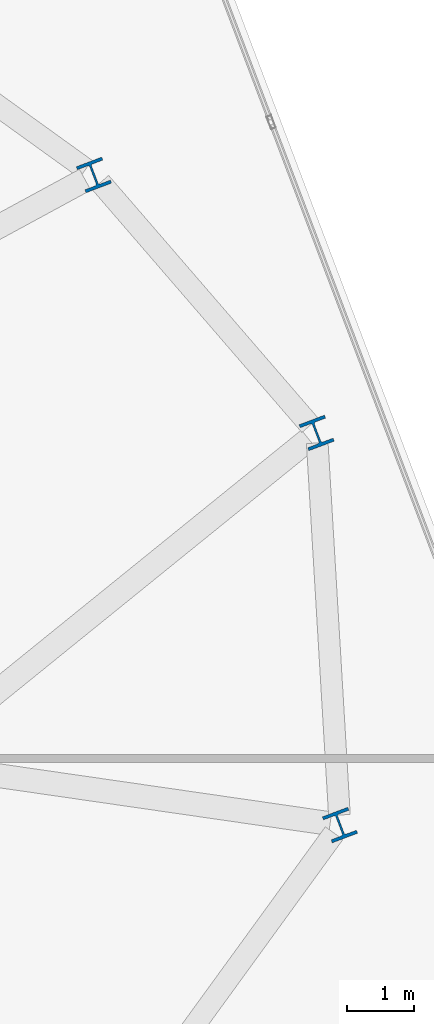
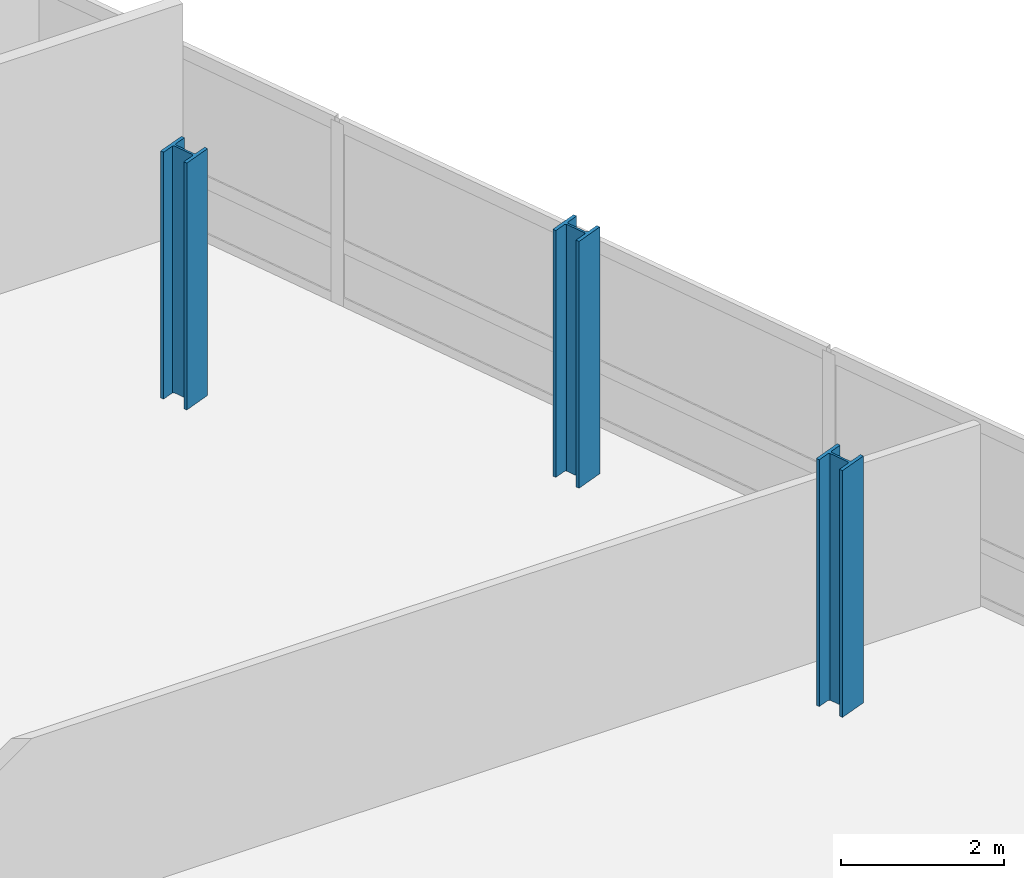
# One storey, part 2 of 19: 3 columns.
"""IFC4 building model written with IfcOpenShell, lengths in metres."""

from ifc_helpers import new_model, si_unit, direction, frame, origin, origin_2d, place, context, subcontext, project, spatial, i_section, extrude, material, material_profile, profile_set, type_object, element, save


model = new_model("IFC4")

# Units and contexts
model_context = context("Model", 3, precision=1e-05, world=origin(), true_north=direction((0.0, 1.0)))
body_context = subcontext(model_context, "Body", "Model", "MODEL_VIEW")
ifc_project = project(units=[si_unit("LENGTHUNIT", "METRE"), si_unit("AREAUNIT", "SQUARE_METRE"), si_unit("VOLUMEUNIT", "CUBIC_METRE"), si_unit("PLANEANGLEUNIT", "RADIAN"), si_unit("MASSUNIT", "GRAM", prefix="KILO")], contexts=[model_context])

# Site, building, storey
site_placement = place(None, origin())
site = spatial("IfcSite", under=ifc_project, at=site_placement, CompositionType="ELEMENT")
building_placement = place(site_placement, origin())
building = spatial("IfcBuilding", under=site, at=building_placement, Name="Varnelok Gate Tower", CompositionType="ELEMENT")
storey_placement = place(building_placement, frame((0.0, 0.0, 231.199951171875)))
storey = spatial("IfcBuildingStorey", under=building, at=storey_placement, Name="L59", CompositionType="ELEMENT", Elevation=231.199951171875)

# Columns
ifc_material = material(Name="Structural Steel ASTM A992 Grade 50", Category="steel")
ifc_material_profile = material_profile(ifc_material, i_section(OverallWidth=0.406005859375, OverallDepth=0.416015625, WebThickness=0.02978515625, FlangeThickness=0.048095703125, FilletRadius=0.02490234375, at=origin_2d()), Name="W14X257")
ifc_profile_set = profile_set([ifc_material_profile], Name="Structural Steel ASTM A992 Grade 50")
column_type = type_object("IfcColumnType", Name="COL-W14X257", PredefinedType="COLUMN", material=ifc_profile_set)
for number, where, z_axis, x_axis, name in (
    (1, (71.05517578125, 26.453369140625, 0.0), (0.0, 0.0, 1.0), (0.935221751401, 0.354062530786, 0.0), "L59 B5 Perimeter Column PC06"),
    (2, (70.70556640625, 32.319580078125, 0.0), (0.0, 0.0, 1.0), (0.935221751401, 0.354062530786, 0.0), "L59 B5 Perimeter Column PC07"),
    (3, (67.372802734375, 36.1796875, 0.0), (0.0, 0.0, 1.0), (0.935221751401, 0.354062530786, 0.0), "L59 B5 Perimeter Column PC08"),
):
    element("IfcColumn", number, at=place(storey_placement, frame(where, z_axis=z_axis, x_axis=x_axis)), inside=storey, type_object=column_type, Name=name, PredefinedType="COLUMN", context=body_context, shape_type="SweptSolid", body=[
        extrude(i_section(OverallWidth=0.406005859375, OverallDepth=0.416015625, WebThickness=0.02978515625, FlangeThickness=0.048095703125, FilletRadius=0.02490234375, at=origin_2d()), origin(), (0.0, 0.0, 1.0), 3.699951171875),
    ])

save(model, "model.ifc")
